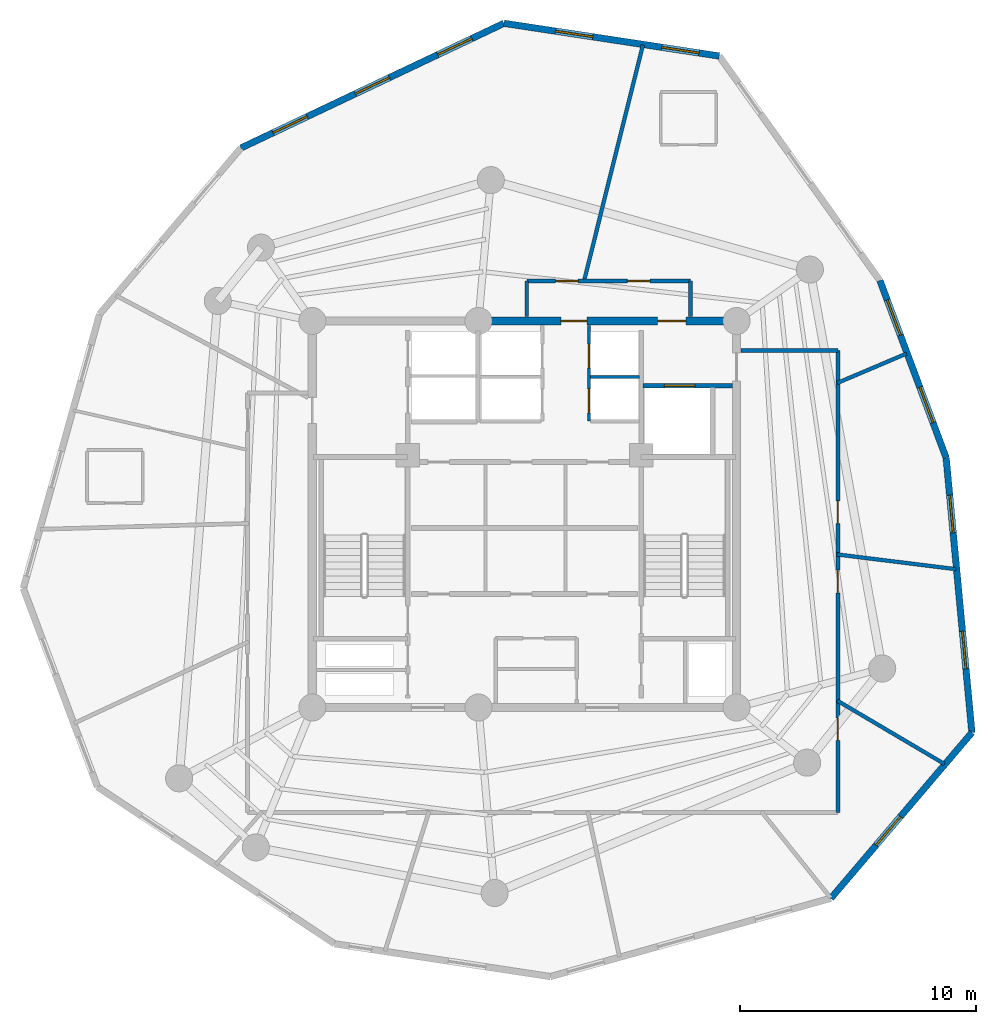
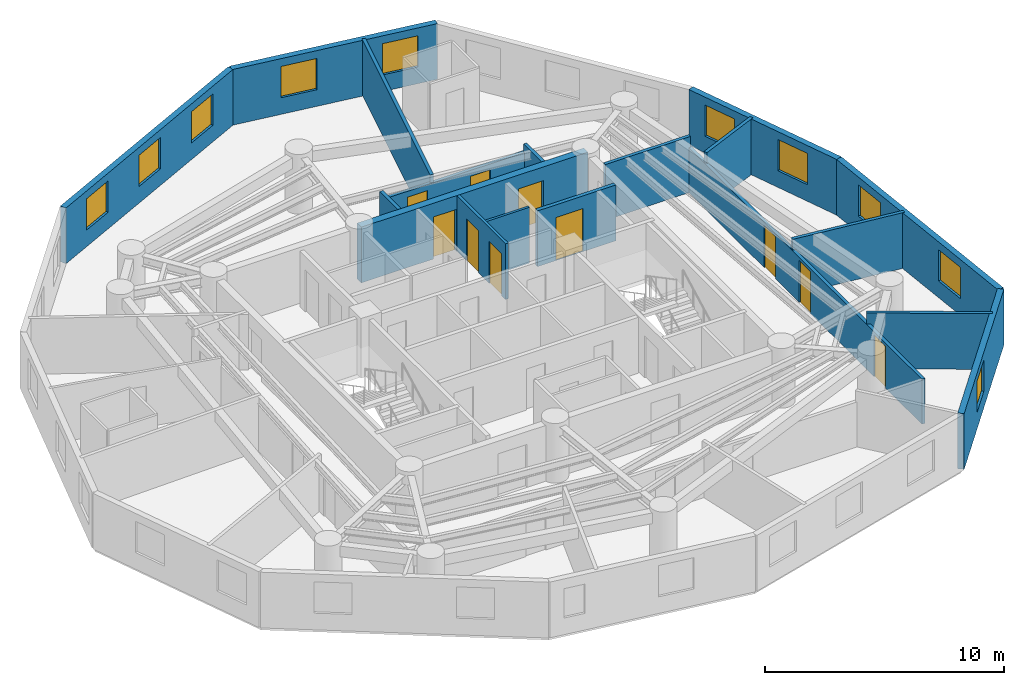
# One storey, part 5 of 7: 18 walls, 10 doors, 10 windows, 20 openings.
"""IFC4 building model written with IfcOpenShell, lengths in metres."""

from ifc_helpers import new_model, si_unit, direction, frame, frame_2d, origin, origin_with_axes, place, context, subcontext, project, spatial, rectangle, extrude, source, transform, mapped, material, layer, layer_set, type_object, element, fill, save


model = new_model("IFC4")

# Units and contexts
model_context = context("Model", 3, precision=1e-05, world=origin(), true_north=direction((0.0, 1.0)))
body_context = subcontext(model_context, "Body", "Model", "MODEL_VIEW")
ifc_project = project(units=[si_unit("LENGTHUNIT", "METRE"), si_unit("AREAUNIT", "SQUARE_METRE"), si_unit("VOLUMEUNIT", "CUBIC_METRE"), si_unit("PLANEANGLEUNIT", "RADIAN"), si_unit("MASSUNIT", "GRAM", prefix="KILO")], contexts=[model_context])

# Site, building, storey
site_placement = place(None, origin())
site = spatial("IfcSite", under=ifc_project, at=site_placement, CompositionType="ELEMENT")
building_placement = place(site_placement, origin())
building = spatial("IfcBuilding", under=site, at=building_placement, Name="Karkom Vertical University and Central Library", CompositionType="ELEMENT")
storey_placement = place(building_placement, frame((0.0, 0.0, 238.25)))
storey = spatial("IfcBuildingStorey", under=building, at=storey_placement, Name="L70", CompositionType="ELEMENT", Elevation=238.25)

# Wall, opening, window
ifc_material_1 = material(Name="Brick-faced precast concrete C45/55", Category="masonry")
ifc_layer_1 = layer(ifc_material_1, 0.280029296875)
ifc_layer_set_1 = layer_set([ifc_layer_1], Name="Brick-faced precast concrete C45/55")
wall_type_1 = type_object("IfcWallType", Name="ENV-WL-BRK-280", PredefinedType="SOLIDWALL", material=ifc_layer_set_1)
wall_1_placement = place(storey_placement, frame((41.501220703125, 10.197509765625, 0.0), z_axis=(0.0, 0.0, 1.0), x_axis=(0.648021806958, 0.761621781271, 0.0)))
wall_1 = element("IfcWall", 1, at=wall_1_placement, inside=storey, type_object=wall_type_1, Name="Level 70 Brick-Faced Precast Facade Wall 05", PredefinedType="SOLIDWALL", context=body_context, shape_type="SweptSolid", body=[
    extrude(rectangle(XDim=9.2412109375, YDim=0.280029296875, at=frame_2d((4.62060546875, 0.0))), origin(), (0.0, 0.0, 1.0), 2.85009765625),
])
opening_1_placement = place(wall_1_placement, frame((2.96240234375, 0.0, 0.85009765625)))
opening_1 = element("IfcOpeningElement", 2, at=opening_1_placement, cuts=wall_1, Name="Opening WN-10", PredefinedType="OPENING", context=body_context, shape_type="SweptSolid", body=[
    extrude(rectangle(XDim=1.60009765625, YDim=1.60009765625, at=frame_2d((0.800048828125, 0.800048828125))), frame((0.0, 0.14990234375, 0.0), z_axis=(0.0, -1.0, 0.0), x_axis=(1.0, 0.0, 0.0)), (0.0, 0.0, 1.0), 0.300048828125),
])
ifc_material_2 = material(Name="Aluminium thermal-break frame with solar-control IGU", Category="aluminium")
window_type = type_object("IfcWindowType", Name="ENV-WIN-WN-10", PartitioningType="SINGLE_PANEL", PredefinedType="WINDOW", material=ifc_material_2)
shared_shape_1 = source(origin_with_axes(), body_context, "Body", "SweptSolid", [
    extrude(rectangle(XDim=1.60009765625, YDim=1.60009765625, at=frame_2d((0.800048828125, 0.800048828125))), frame((0.0, 0.030029296875, 0.0), z_axis=(0.0, -1.0, 0.0), x_axis=(1.0, 0.0, 0.0)), (0.0, 0.0, 1.0), 0.06005859375),
])
window_1_placement = place(opening_1_placement, origin())
window_1 = element("IfcWindow", 3, at=window_1_placement, inside=storey, type_object=window_type, Name="Level 70 Punched Window 5.1", OverallHeight=1.60009765625, OverallWidth=1.60009765625, PartitioningType="SINGLE_PANEL", PredefinedType="WINDOW", context=body_context, shape_type="MappedRepresentation", body=[
    mapped(shared_shape_1, transform((0.0, 0.0, 0.0), scale=1.0)),
])
fill(opening_1, window_1)

# Wall, openings, windows
wall_2_placement = place(storey_placement, frame((47.48974609375, 17.23583984375, 0.0), z_axis=(0.0, 0.0, 1.0), x_axis=(-0.093386555956, 0.995629926814, 0.0)))
wall_2 = element("IfcWall", 4, at=wall_2_placement, inside=storey, type_object=wall_type_1, Name="Level 70 Brick-Faced Precast Facade Wall 06", PredefinedType="SOLIDWALL", context=body_context, shape_type="SweptSolid", body=[
    extrude(rectangle(XDim=11.712158203125, YDim=0.280029296875, at=frame_2d((5.85595703125, 0.0))), origin(), (0.0, 0.0, 1.0), 2.85009765625),
])
opening_2_placement = place(wall_2_placement, frame((2.717041015625, 0.0, 0.85009765625)))
opening_2 = element("IfcOpeningElement", 5, at=opening_2_placement, cuts=wall_2, Name="Opening WN-10", PredefinedType="OPENING", context=body_context, shape_type="SweptSolid", body=[
    extrude(rectangle(XDim=1.60009765625, YDim=1.60009765625, at=frame_2d((0.800048828125, 0.800048828125))), frame((0.0, 0.14990234375, 0.0), z_axis=(0.0, -1.0, 0.0), x_axis=(1.0, 0.0, 0.0)), (0.0, 0.0, 1.0), 0.300048828125),
])
opening_3_placement = place(wall_2_placement, frame((8.51318359375, 0.0, 0.85009765625)))
opening_3 = element("IfcOpeningElement", 6, at=opening_3_placement, cuts=wall_2, Name="Opening WN-10", PredefinedType="OPENING", context=body_context, shape_type="SweptSolid", body=[
    extrude(rectangle(XDim=1.60009765625, YDim=1.60009765625, at=frame_2d((0.800048828125, 0.800048828125))), frame((0.0, 0.14990234375, 0.0), z_axis=(0.0, -1.0, 0.0), x_axis=(1.0, 0.0, 0.0)), (0.0, 0.0, 1.0), 0.300048828125),
])
window_2_placement = place(opening_2_placement, origin())
window_2 = element("IfcWindow", 7, at=window_2_placement, inside=storey, type_object=window_type, Name="Level 70 Punched Window 6.1", OverallHeight=1.60009765625, OverallWidth=1.60009765625, PartitioningType="SINGLE_PANEL", PredefinedType="WINDOW", context=body_context, shape_type="MappedRepresentation", body=[
    mapped(shared_shape_1, transform((0.0, 0.0, 0.0), scale=1.0)),
])
fill(opening_2, window_2)
window_3_placement = place(opening_3_placement, origin())
window_3 = element("IfcWindow", 8, at=window_3_placement, inside=storey, type_object=window_type, Name="Level 70 Punched Window 6.2", OverallHeight=1.60009765625, OverallWidth=1.60009765625, PartitioningType="SINGLE_PANEL", PredefinedType="WINDOW", context=body_context, shape_type="MappedRepresentation", body=[
    mapped(shared_shape_1, transform((0.0, 0.0, 0.0), scale=1.0)),
])
fill(opening_3, window_3)

wall_3_placement = place(storey_placement, frame((46.39599609375, 28.896728515625, 0.0), z_axis=(0.0, 0.0, 1.0), x_axis=(-0.34987402961, 0.936796756722, 0.0)))
wall_3 = element("IfcWall", 9, at=wall_3_placement, inside=storey, type_object=wall_type_1, Name="Level 70 Brick-Faced Precast Facade Wall 07", PredefinedType="SOLIDWALL", context=body_context, shape_type="SweptSolid", body=[
    extrude(rectangle(XDim=8.0322265625, YDim=0.280029296875, at=frame_2d((4.01611328125, 0.0))), origin(), (0.0, 0.0, 1.0), 2.85009765625),
])
opening_4_placement = place(wall_3_placement, frame((1.593994140625, 0.0, 0.85009765625)))
opening_4 = element("IfcOpeningElement", 10, at=opening_4_placement, cuts=wall_3, Name="Opening WN-10", PredefinedType="OPENING", context=body_context, shape_type="SweptSolid", body=[
    extrude(rectangle(XDim=1.60009765625, YDim=1.60009765625, at=frame_2d((0.800048828125, 0.800048828125))), frame((0.0, 0.14990234375, 0.0), z_axis=(0.0, -1.0, 0.0), x_axis=(1.0, 0.0, 0.0)), (0.0, 0.0, 1.0), 0.300048828125),
])
opening_5_placement = place(wall_3_placement, frame((5.55029296875, 0.0, 0.85009765625)))
opening_5 = element("IfcOpeningElement", 11, at=opening_5_placement, cuts=wall_3, Name="Opening WN-10", PredefinedType="OPENING", context=body_context, shape_type="SweptSolid", body=[
    extrude(rectangle(XDim=1.60009765625, YDim=1.60009765625, at=frame_2d((0.800048828125, 0.800048828125))), frame((0.0, 0.14990234375, 0.0), z_axis=(0.0, -1.0, 0.0), x_axis=(1.0, 0.0, 0.0)), (0.0, 0.0, 1.0), 0.300048828125),
])
window_4_placement = place(opening_4_placement, origin())
window_4 = element("IfcWindow", 12, at=window_4_placement, inside=storey, type_object=window_type, Name="Level 70 Punched Window 7.1", OverallHeight=1.60009765625, OverallWidth=1.60009765625, PartitioningType="SINGLE_PANEL", PredefinedType="WINDOW", context=body_context, shape_type="MappedRepresentation", body=[
    mapped(shared_shape_1, transform((0.0, 0.0, 0.0), scale=1.0)),
])
fill(opening_4, window_4)
window_5_placement = place(opening_5_placement, origin())
window_5 = element("IfcWindow", 13, at=window_5_placement, inside=storey, type_object=window_type, Name="Level 70 Punched Window 7.2", OverallHeight=1.60009765625, OverallWidth=1.60009765625, PartitioningType="SINGLE_PANEL", PredefinedType="WINDOW", context=body_context, shape_type="MappedRepresentation", body=[
    mapped(shared_shape_1, transform((0.0, 0.0, 0.0), scale=1.0)),
])
fill(opening_5, window_5)

wall_4_placement = place(storey_placement, frame((36.767578125, 45.9443359375, 0.0), z_axis=(0.0, 0.0, 1.0), x_axis=(-0.988633780182, 0.150343768352, 0.0)))
wall_4 = element("IfcWall", 14, at=wall_4_placement, inside=storey, type_object=wall_type_1, Name="Level 70 Brick-Faced Precast Facade Wall 09", PredefinedType="SOLIDWALL", context=body_context, shape_type="SweptSolid", body=[
    extrude(rectangle(XDim=9.241455078125, YDim=0.280029296875, at=frame_2d((4.62060546875, 0.0))), origin(), (0.0, 0.0, 1.0), 2.85009765625),
])
opening_6_placement = place(wall_4_placement, frame((0.868896484375, 0.0, 0.85009765625)))
opening_6 = element("IfcOpeningElement", 15, at=opening_6_placement, cuts=wall_4, Name="Opening WN-10", PredefinedType="OPENING", context=body_context, shape_type="SweptSolid", body=[
    extrude(rectangle(XDim=1.60009765625, YDim=1.60009765625, at=frame_2d((0.800048828125, 0.800048828125))), frame((0.0, 0.14990234375, 0.0), z_axis=(0.0, -1.0, 0.0), x_axis=(1.0, 0.0, 0.0)), (0.0, 0.0, 1.0), 0.300048828125),
])
opening_7_placement = place(wall_4_placement, frame((5.4296875, 0.0, 0.85009765625)))
opening_7 = element("IfcOpeningElement", 16, at=opening_7_placement, cuts=wall_4, Name="Opening WN-10", PredefinedType="OPENING", context=body_context, shape_type="SweptSolid", body=[
    extrude(rectangle(XDim=1.60009765625, YDim=1.60009765625, at=frame_2d((0.800048828125, 0.800048828125))), frame((0.0, 0.14990234375, 0.0), z_axis=(0.0, -1.0, 0.0), x_axis=(1.0, 0.0, 0.0)), (0.0, 0.0, 1.0), 0.300048828125),
])
window_6_placement = place(opening_6_placement, origin())
window_6 = element("IfcWindow", 17, at=window_6_placement, inside=storey, type_object=window_type, Name="Level 70 Punched Window 9.1", OverallHeight=1.60009765625, OverallWidth=1.60009765625, PartitioningType="SINGLE_PANEL", PredefinedType="WINDOW", context=body_context, shape_type="MappedRepresentation", body=[
    mapped(shared_shape_1, transform((0.0, 0.0, 0.0), scale=1.0)),
])
fill(opening_6, window_6)
window_7_placement = place(opening_7_placement, origin())
window_7 = element("IfcWindow", 18, at=window_7_placement, inside=storey, type_object=window_type, Name="Level 70 Punched Window 9.2", OverallHeight=1.60009765625, OverallWidth=1.60009765625, PartitioningType="SINGLE_PANEL", PredefinedType="WINDOW", context=body_context, shape_type="MappedRepresentation", body=[
    mapped(shared_shape_1, transform((0.0, 0.0, 0.0), scale=1.0)),
])
fill(opening_7, window_7)

wall_5_placement = place(storey_placement, frame((27.631103515625, 47.333740234375, 0.0), z_axis=(0.0, 0.0, 1.0), x_axis=(-0.903597763664, -0.428381934145, 0.0)))
wall_5 = element("IfcWall", 19, at=wall_5_placement, inside=storey, type_object=wall_type_1, Name="Level 70 Brick-Faced Precast Facade Wall 10", PredefinedType="SOLIDWALL", context=body_context, shape_type="SweptSolid", body=[
    extrude(rectangle(XDim=12.3544921875, YDim=0.280029296875, at=frame_2d((6.17724609375, 0.0))), origin(), (0.0, 0.0, 1.0), 2.85009765625),
])
opening_8_placement = place(wall_5_placement, frame((1.512451171875, 0.0, 0.85009765625)))
opening_8 = element("IfcOpeningElement", 20, at=opening_8_placement, cuts=wall_5, Name="Opening WN-10", PredefinedType="OPENING", context=body_context, shape_type="SweptSolid", body=[
    extrude(rectangle(XDim=1.60009765625, YDim=1.60009765625, at=frame_2d((0.800048828125, 0.800048828125))), frame((0.0, 0.14990234375, 0.0), z_axis=(0.0, -1.0, 0.0), x_axis=(1.0, 0.0, 0.0)), (0.0, 0.0, 1.0), 0.300048828125),
])
opening_9_placement = place(wall_5_placement, frame((5.377197265625, 0.0, 0.85009765625)))
opening_9 = element("IfcOpeningElement", 21, at=opening_9_placement, cuts=wall_5, Name="Opening WN-10", PredefinedType="OPENING", context=body_context, shape_type="SweptSolid", body=[
    extrude(rectangle(XDim=1.60009765625, YDim=1.60009765625, at=frame_2d((0.800048828125, 0.800048828125))), frame((0.0, 0.14990234375, 0.0), z_axis=(0.0, -1.0, 0.0), x_axis=(1.0, 0.0, 0.0)), (0.0, 0.0, 1.0), 0.300048828125),
])
opening_10_placement = place(wall_5_placement, frame((9.2421875, 0.0, 0.85009765625)))
opening_10 = element("IfcOpeningElement", 22, at=opening_10_placement, cuts=wall_5, Name="Opening WN-10", PredefinedType="OPENING", context=body_context, shape_type="SweptSolid", body=[
    extrude(rectangle(XDim=1.60009765625, YDim=1.60009765625, at=frame_2d((0.800048828125, 0.800048828125))), frame((0.0, 0.14990234375, 0.0), z_axis=(0.0, -1.0, 0.0), x_axis=(1.0, 0.0, 0.0)), (0.0, 0.0, 1.0), 0.300048828125),
])
window_8_placement = place(opening_8_placement, origin())
window_8 = element("IfcWindow", 23, at=window_8_placement, inside=storey, type_object=window_type, Name="Level 70 Punched Window 10.1", OverallHeight=1.60009765625, OverallWidth=1.60009765625, PartitioningType="SINGLE_PANEL", PredefinedType="WINDOW", context=body_context, shape_type="MappedRepresentation", body=[
    mapped(shared_shape_1, transform((0.0, 0.0, 0.0), scale=1.0)),
])
fill(opening_8, window_8)
window_9_placement = place(opening_9_placement, origin())
window_9 = element("IfcWindow", 24, at=window_9_placement, inside=storey, type_object=window_type, Name="Level 70 Punched Window 10.2", OverallHeight=1.60009765625, OverallWidth=1.60009765625, PartitioningType="SINGLE_PANEL", PredefinedType="WINDOW", context=body_context, shape_type="MappedRepresentation", body=[
    mapped(shared_shape_1, transform((0.0, 0.0, 0.0), scale=1.0)),
])
fill(opening_9, window_9)
window_10_placement = place(opening_10_placement, origin())
window_10 = element("IfcWindow", 25, at=window_10_placement, inside=storey, type_object=window_type, Name="Level 70 Punched Window 10.3", OverallHeight=1.60009765625, OverallWidth=1.60009765625, PartitioningType="SINGLE_PANEL", PredefinedType="WINDOW", context=body_context, shape_type="MappedRepresentation", body=[
    mapped(shared_shape_1, transform((0.0, 0.0, 0.0), scale=1.0)),
])
fill(opening_10, window_10)

# Wall, openings, doors
ifc_material_3 = material(Name="Insulated metal-stud drywall 160mm", Category="gypsum")
ifc_layer_2 = layer(ifc_material_3, 0.159912109375)
ifc_layer_set_2 = layer_set([ifc_layer_2], Name="Insulated metal-stud drywall 160mm")
wall_type_2 = type_object("IfcWallType", Name="INT-WL-COR-160", PredefinedType="PARTITIONING", material=ifc_layer_set_2)
wall_6_placement = place(storey_placement, frame((41.800048828125, 33.449951171875, 0.0), z_axis=(0.0, 0.0, 1.0), x_axis=(0.0, -1.0, 0.0)))
wall_6 = element("IfcWall", 26, at=wall_6_placement, inside=storey, type_object=wall_type_2, Name="Level 70 Interior Partition Wall L70-CORW-CW-005", PredefinedType="PARTITIONING", context=body_context, shape_type="SweptSolid", body=[
    extrude(rectangle(XDim=19.599853515625, YDim=0.159912109375, at=frame_2d((9.7998046875, 0.0))), origin(), (0.0, 0.0, 1.0), 2.300048828125),
])
opening_11_placement = place(wall_6_placement, frame((15.5859375, 0.0, 0.0)))
opening_11 = element("IfcOpeningElement", 27, at=opening_11_placement, cuts=wall_6, Name="Opening FD-RM2", PredefinedType="OPENING", context=body_context, shape_type="SweptSolid", body=[
    extrude(rectangle(XDim=0.9599609375, YDim=2.14990234375, at=frame_2d((0.47998046875, 1.074951171875))), frame((0.0, 0.08984375, 0.0), z_axis=(0.0, -1.0, 0.0), x_axis=(1.0, 0.0, 0.0)), (0.0, 0.0, 1.0), 0.179931640625),
])
opening_12_placement = place(wall_6_placement, frame((9.324951171875, 0.0, 0.0)))
opening_12 = element("IfcOpeningElement", 28, at=opening_12_placement, cuts=wall_6, Name="Opening FD-RM2", PredefinedType="OPENING", context=body_context, shape_type="SweptSolid", body=[
    extrude(rectangle(XDim=0.9599609375, YDim=2.14990234375, at=frame_2d((0.47998046875, 1.074951171875))), frame((0.0, 0.08984375, 0.0), z_axis=(0.0, -1.0, 0.0), x_axis=(1.0, 0.0, 0.0)), (0.0, 0.0, 1.0), 0.179931640625),
])
opening_13_placement = place(wall_6_placement, frame((6.385009765625, 0.0, 0.0)))
opening_13 = element("IfcOpeningElement", 29, at=opening_13_placement, cuts=wall_6, Name="Opening FD-RM2", PredefinedType="OPENING", context=body_context, shape_type="SweptSolid", body=[
    extrude(rectangle(XDim=0.9599609375, YDim=2.14990234375, at=frame_2d((0.47998046875, 1.074951171875))), frame((0.0, 0.08984375, 0.0), z_axis=(0.0, -1.0, 0.0), x_axis=(1.0, 0.0, 0.0)), (0.0, 0.0, 1.0), 0.179931640625),
])
ifc_material_4 = material(Name="Fire-rated oak veneer door", Category="wood")
door_type_1 = type_object("IfcDoorType", Name="INT-DR-FRM2", OperationType="NOTDEFINED", PredefinedType="DOOR", material=ifc_material_4)
shared_shape_2 = source(origin_with_axes(), body_context, "Body", "SweptSolid", [
    extrude(rectangle(XDim=0.9599609375, YDim=2.14990234375, at=frame_2d((0.47998046875, 1.074951171875))), frame((0.0, 0.02490234375, 0.0), z_axis=(0.0, -1.0, 0.0), x_axis=(1.0, 0.0, 0.0)), (0.0, 0.0, 1.0), 0.050048828125),
])
door_1_placement = place(opening_11_placement, origin())
door_1 = element("IfcDoor", 30, at=door_1_placement, inside=storey, type_object=door_type_1, Name="Level 70 Room Entry Door 305", OperationType="SINGLE_SWING_RIGHT", OverallHeight=2.14990234375, OverallWidth=0.9599609375, PredefinedType="DOOR", context=body_context, shape_type="MappedRepresentation", body=[
    mapped(shared_shape_2, transform((0.0, 0.0, 0.0), scale=1.0)),
])
fill(opening_11, door_1)
door_2_placement = place(opening_12_placement, origin())
door_2 = element("IfcDoor", 31, at=door_2_placement, inside=storey, type_object=door_type_1, Name="Level 70 Room Entry Door 306", OperationType="SINGLE_SWING_LEFT", OverallHeight=2.14990234375, OverallWidth=0.9599609375, PredefinedType="DOOR", context=body_context, shape_type="MappedRepresentation", body=[
    mapped(shared_shape_2, transform((0.0, 0.0, 0.0), scale=1.0)),
])
fill(opening_12, door_2)
door_3_placement = place(opening_13_placement, origin())
door_3 = element("IfcDoor", 32, at=door_3_placement, inside=storey, type_object=door_type_1, Name="Level 70 Room Entry Door 307", OperationType="SINGLE_SWING_RIGHT", OverallHeight=2.14990234375, OverallWidth=0.9599609375, PredefinedType="DOOR", context=body_context, shape_type="MappedRepresentation", body=[
    mapped(shared_shape_2, transform((0.0, 0.0, 0.0), scale=1.0)),
])
fill(opening_13, door_3)

# Wall
wall_7_placement = place(storey_placement, frame((31.02294921875, 36.370849609375, 0.0), z_axis=(0.0, 0.0, 1.0), x_axis=(0.241913852828, 0.970297731529, 0.0)))
element("IfcWall", 33, at=wall_7_placement, inside=storey, type_object=wall_type_2, Name="Level 70 Interior Partition Wall L70-PW-012", PredefinedType="PARTITIONING", context=body_context, shape_type="SweptSolid", body=[
    extrude(rectangle(XDim=10.348388671875, YDim=0.159912109375, at=frame_2d((5.17431640625, 0.0))), origin(), (0.0, 0.0, 1.0), 2.85009765625),
])

# Wall, openings, doors
wall_8_placement = place(storey_placement, frame((28.60009765625, 36.39990234375, 0.0), z_axis=(0.0, 0.0, 1.0), x_axis=(1.0, 0.0, 0.0)))
wall_8 = element("IfcWall", 34, at=wall_8_placement, inside=storey, type_object=wall_type_2, Name="Level 70 Interior Partition Wall L70-CORW-CW-007", PredefinedType="PARTITIONING", context=body_context, shape_type="SweptSolid", body=[
    extrude(rectangle(XDim=6.949951171875, YDim=0.159912109375, at=frame_2d((3.47509765625, 0.0))), origin(), (0.0, 0.0, 1.0), 2.449951171875),
])
opening_14_placement = place(wall_8_placement, frame((4.26513671875, 0.0, 0.0)))
opening_14 = element("IfcOpeningElement", 35, at=opening_14_placement, cuts=wall_8, Name="Opening FD-RM2", PredefinedType="OPENING", context=body_context, shape_type="SweptSolid", body=[
    extrude(rectangle(XDim=0.9599609375, YDim=2.14990234375, at=frame_2d((0.47998046875, 1.074951171875))), frame((0.0, 0.08984375, 0.0), z_axis=(0.0, -1.0, 0.0), x_axis=(1.0, 0.0, 0.0)), (0.0, 0.0, 1.0), 0.179931640625),
])
opening_15_placement = place(wall_8_placement, frame((1.222412109375, 0.0, 0.0)))
opening_15 = element("IfcOpeningElement", 36, at=opening_15_placement, cuts=wall_8, Name="Opening FD-RM2", PredefinedType="OPENING", context=body_context, shape_type="SweptSolid", body=[
    extrude(rectangle(XDim=0.9599609375, YDim=2.14990234375, at=frame_2d((0.47998046875, 1.074951171875))), frame((0.0, 0.08984375, 0.0), z_axis=(0.0, -1.0, 0.0), x_axis=(1.0, 0.0, 0.0)), (0.0, 0.0, 1.0), 0.179931640625),
])
door_4_placement = place(opening_14_placement, origin())
door_4 = element("IfcDoor", 37, at=door_4_placement, inside=storey, type_object=door_type_1, Name="Level 70 Room Entry Door 416", OperationType="SINGLE_SWING_LEFT", OverallHeight=2.14990234375, OverallWidth=0.9599609375, PredefinedType="DOOR", context=body_context, shape_type="MappedRepresentation", body=[
    mapped(shared_shape_2, transform((0.0, 0.0, 0.0), scale=1.0)),
])
fill(opening_14, door_4)
door_5_placement = place(opening_15_placement, origin())
door_5 = element("IfcDoor", 38, at=door_5_placement, inside=storey, type_object=door_type_1, Name="Level 70 Room Entry Door 309", OperationType="SINGLE_SWING_LEFT", OverallHeight=2.14990234375, OverallWidth=0.9599609375, PredefinedType="DOOR", context=body_context, shape_type="MappedRepresentation", body=[
    mapped(shared_shape_2, transform((0.0, 0.0, 0.0), scale=1.0)),
])
fill(opening_15, door_5)

# Walls
wall_9_placement = place(storey_placement, frame((41.774169921875, 18.590576171875, 0.0), z_axis=(0.0, 0.0, 1.0), x_axis=(0.861040600517, -0.508536217256, 0.0)))
element("IfcWall", 39, at=wall_9_placement, inside=storey, type_object=wall_type_2, Name="Level 70 Interior Partition Wall L70-PW-009", PredefinedType="PARTITIONING", context=body_context, shape_type="SweptSolid", body=[
    extrude(rectangle(XDim=5.282470703125, YDim=0.159912109375, at=frame_2d((2.64111328125, 0.0))), origin(), (0.0, 0.0, 1.0), 2.85009765625),
])
wall_10_placement = place(storey_placement, frame((41.75537109375, 24.79638671875, 0.0), z_axis=(0.0, 0.0, 1.0), x_axis=(0.992404123025, -0.123020553578, 0.0)))
element("IfcWall", 40, at=wall_10_placement, inside=storey, type_object=wall_type_2, Name="Level 70 Interior Partition Wall L70-PW-010", PredefinedType="PARTITIONING", context=body_context, shape_type="SweptSolid", body=[
    extrude(rectangle(XDim=5.096435546875, YDim=0.159912109375, at=frame_2d((2.54833984375, 0.0))), origin(), (0.0, 0.0, 1.0), 2.85009765625),
])
wall_11_placement = place(storey_placement, frame((37.681884765625, 33.449951171875, 0.0), z_axis=(0.0, 0.0, 1.0), x_axis=(1.0, 0.0, 0.0)))
element("IfcWall", 41, at=wall_11_placement, inside=storey, type_object=wall_type_2, Name="Level 70 Interior Partition Wall L70-CORW-CW-004", PredefinedType="PARTITIONING", context=body_context, shape_type="SweptSolid", body=[
    extrude(rectangle(XDim=4.1181640625, YDim=0.159912109375, at=frame_2d((2.05908203125, 0.0))), origin(), (0.0, 0.0, 1.0), 2.85009765625),
])
wall_12_placement = place(storey_placement, frame((41.7724609375, 32.068603515625, 0.0), z_axis=(0.0, 0.0, 1.0), x_axis=(0.92048947537, 0.390767355, 0.0)))
element("IfcWall", 42, at=wall_12_placement, inside=storey, type_object=wall_type_2, Name="Level 70 Interior Partition Wall L70-PW-011", PredefinedType="PARTITIONING", context=body_context, shape_type="SweptSolid", body=[
    extrude(rectangle(XDim=3.199462890625, YDim=0.159912109375, at=frame_2d((1.599609375, 0.0))), origin(), (0.0, 0.0, 1.0), 2.85009765625),
])
for number, where, z_axis, x_axis, name in (
    (43, (28.60009765625, 34.882080078125, 0.0), (0.0, 0.0, 1.0), (0.0, 1.0, 0.0), "Level 70 Interior Partition Wall L70-CORW-CW-006"),
    (44, (35.550048828125, 36.39990234375, 0.0), (0.0, 0.0, 1.0), (0.0, -1.0, 0.0), "Level 70 Interior Partition Wall L70-CORW-CW-008"),
):
    element("IfcWall", number, at=place(storey_placement, frame(where, z_axis=z_axis, x_axis=x_axis)), inside=storey, type_object=wall_type_2, Name=name, PredefinedType="PARTITIONING", context=body_context, shape_type="SweptSolid", body=[
        extrude(rectangle(XDim=1.517822265625, YDim=0.159912109375, at=frame_2d((0.7587890625, 0.0))), origin(), (0.0, 0.0, 1.0), 2.85009765625),
    ])
ifc_material_5 = material(Name="Moisture-resistant drywall 120mm", Category="gypsum")
ifc_layer_3 = layer(ifc_material_5, 0.1201171875)
ifc_layer_set_3 = layer_set([ifc_layer_3], Name="Moisture-resistant drywall 120mm")
wall_type_3 = type_object("IfcWallType", Name="INT-WL-INT-120H", PredefinedType="PARTITIONING", material=ifc_layer_set_3)
wall_13_placement = place(storey_placement, frame((31.300048828125, 32.320068359375, 0.0), z_axis=(0.0, 0.0, 1.0), x_axis=(1.0, 0.0, 0.0)))
element("IfcWall", 45, at=wall_13_placement, inside=storey, type_object=wall_type_3, Name="Level 70 Interior Partition Wall L70-CW-PH-ME", PredefinedType="PARTITIONING", context=body_context, shape_type="SweptSolid", body=[
    extrude(rectangle(XDim=2.074951171875, YDim=0.1201171875, at=frame_2d((1.03759765625, 0.0))), origin(), (0.0, 0.0, 1.0), 2.85009765625),
])

# Wall, openings, doors
ifc_material_6 = material(Name="Metal-stud gypsum partition 140mm", Category="gypsum")
ifc_layer_4 = layer(ifc_material_6, 0.139892578125)
ifc_layer_set_4 = layer_set([ifc_layer_4], Name="Metal-stud gypsum partition 140mm")
wall_type_4 = type_object("IfcWallType", Name="INT-WL-SUB-140H", PredefinedType="PARTITIONING", material=ifc_layer_set_4)
wall_14_placement = place(storey_placement, frame((31.239990234375, 30.449951171875, 0.0), z_axis=(0.0, 0.0, 1.0), x_axis=(0.0, 1.0, 0.0)))
wall_14 = element("IfcWall", 46, at=wall_14_placement, inside=storey, type_object=wall_type_4, Name="Level 70 Interior Partition Wall L70-CW-PH-E", PredefinedType="PARTITIONING", context=body_context, shape_type="SweptSolid", body=[
    extrude(rectangle(XDim=4.068115234375, YDim=0.139892578125, at=frame_2d((2.0341796875, 0.0))), origin(), (0.0, 0.0, 1.0), 2.85009765625),
])
opening_16_placement = place(wall_14_placement, frame((0.35009765625, 0.0, 0.0)))
opening_16 = element("IfcOpeningElement", 47, at=opening_16_placement, cuts=wall_14, Name="Opening LD-PH", PredefinedType="OPENING", context=body_context, shape_type="SweptSolid", body=[
    extrude(rectangle(XDim=1.02001953125, YDim=2.14990234375, at=frame_2d((0.510009765625, 1.074951171875))), frame((0.0, 0.080078125, 0.0), z_axis=(0.0, -1.0, 0.0), x_axis=(1.0, 0.0, 0.0)), (0.0, 0.0, 1.0), 0.159912109375),
])
opening_17_placement = place(wall_14_placement, frame((2.25, 0.0, 0.0)))
opening_17 = element("IfcOpeningElement", 48, at=opening_17_placement, cuts=wall_14, Name="Opening LD-PH", PredefinedType="OPENING", context=body_context, shape_type="SweptSolid", body=[
    extrude(rectangle(XDim=1.02001953125, YDim=2.14990234375, at=frame_2d((0.510009765625, 1.074951171875))), frame((0.0, 0.080078125, 0.0), z_axis=(0.0, -1.0, 0.0), x_axis=(1.0, 0.0, 0.0)), (0.0, 0.0, 1.0), 0.159912109375),
])
ifc_material_7 = material(Name="Brushed stainless-steel landing door", Category="steel")
door_type_2 = type_object("IfcDoorType", Name="INT-DR-LD-PH", OperationType="SLIDING_TO_LEFT", PredefinedType="DOOR", material=ifc_material_7)
shared_shape_3 = source(origin_with_axes(), body_context, "Body", "SweptSolid", [
    extrude(rectangle(XDim=1.02001953125, YDim=2.14990234375, at=frame_2d((0.510009765625, 1.074951171875))), frame((0.0, 0.02490234375, 0.0), z_axis=(0.0, -1.0, 0.0), x_axis=(1.0, 0.0, 0.0)), (0.0, 0.0, 1.0), 0.050048828125),
])
door_6_placement = place(opening_16_placement, origin())
door_6 = element("IfcDoor", 49, at=door_6_placement, inside=storey, type_object=door_type_2, Name="Level 70 Lift PH-3 Landing Door", OperationType="SLIDING_TO_LEFT", OverallHeight=2.14990234375, OverallWidth=1.02001953125, PredefinedType="DOOR", context=body_context, shape_type="MappedRepresentation", body=[
    mapped(shared_shape_3, transform((0.0, 0.0, 0.0), scale=1.0)),
])
fill(opening_16, door_6)
door_7_placement = place(opening_17_placement, origin())
door_7 = element("IfcDoor", 50, at=door_7_placement, inside=storey, type_object=door_type_2, Name="Level 70 Lift PH-4 Landing Door", OperationType="SLIDING_TO_LEFT", OverallHeight=2.14990234375, OverallWidth=1.02001953125, PredefinedType="DOOR", context=body_context, shape_type="MappedRepresentation", body=[
    mapped(shared_shape_3, transform((0.0, 0.0, 0.0), scale=1.0)),
])
fill(opening_17, door_7)

# Wall, opening, door
ifc_material_8 = material(Name="Twin-stud acoustic drywall 180mm", Category="gypsum")
ifc_layer_5 = layer(ifc_material_8, 0.179931640625)
ifc_layer_set_5 = layer_set([ifc_layer_5], Name="Twin-stud acoustic drywall 180mm")
wall_type_5 = type_object("IfcWallType", Name="INT-WL-TEN-180F", PredefinedType="PARTITIONING", material=ifc_layer_set_5)
wall_15_placement = place(storey_placement, frame((33.534912109375, 31.949951171875, 0.0), z_axis=(0.0, 0.0, 1.0), x_axis=(1.0, 0.0, 0.0)))
wall_15 = element("IfcWall", 51, at=wall_15_placement, inside=storey, type_object=wall_type_5, Name="Level 70 Interior Partition Wall L70-CW-SVL-N", PredefinedType="PARTITIONING", context=body_context, shape_type="SweptSolid", body=[
    extrude(rectangle(XDim=3.783935546875, YDim=0.179931640625, at=frame_2d((1.89208984375, 0.0))), origin(), (0.0, 0.0, 1.0), 2.85009765625),
])
opening_18_placement = place(wall_15_placement, frame((0.89990234375, 0.0, 0.0)))
opening_18 = element("IfcOpeningElement", 52, at=opening_18_placement, cuts=wall_15, Name="Opening LD-SV1", PredefinedType="OPENING", context=body_context, shape_type="SweptSolid", body=[
    extrude(rectangle(XDim=1.300048828125, YDim=2.199951171875, at=frame_2d((0.64990234375, 1.10009765625))), frame((0.0, 0.10009765625, 0.0), z_axis=(0.0, -1.0, 0.0), x_axis=(1.0, 0.0, 0.0)), (0.0, 0.0, 1.0), 0.199951171875),
])
door_type_3 = type_object("IfcDoorType", Name="INT-DR-LD-SV1", OperationType="SLIDING_TO_LEFT", PredefinedType="DOOR", material=ifc_material_7)
shared_shape_4 = source(origin_with_axes(), body_context, "Body", "SweptSolid", [
    extrude(rectangle(XDim=1.300048828125, YDim=2.199951171875, at=frame_2d((0.64990234375, 1.10009765625))), frame((0.0, 0.02490234375, 0.0), z_axis=(0.0, -1.0, 0.0), x_axis=(1.0, 0.0, 0.0)), (0.0, 0.0, 1.0), 0.050048828125),
])
door_8_placement = place(opening_18_placement, origin())
door_8 = element("IfcDoor", 53, at=door_8_placement, inside=storey, type_object=door_type_3, Name="Level 70 Service Lift Landing Door LD-SV1", OperationType="SLIDING_TO_LEFT", OverallHeight=2.199951171875, OverallWidth=1.300048828125, PredefinedType="DOOR", context=body_context, shape_type="MappedRepresentation", body=[
    mapped(shared_shape_4, transform((0.0, 0.0, 0.0), scale=1.0)),
])
fill(opening_18, door_8)

# Wall, openings, doors
ifc_material_9 = material(Name="Concrete C45/55", Category="concrete")
ifc_layer_6 = layer(ifc_material_9, 0.35009765625)
ifc_layer_set_6 = layer_set([ifc_layer_6], Name="Concrete C45/55")
wall_type_6 = type_object("IfcWallType", Name="STR-WL-CW-350", PredefinedType="SHEAR", material=ifc_layer_set_6)
wall_16_placement = place(storey_placement, frame((37.5, 34.699951171875, 0.0), z_axis=(0.0, 0.0, 1.0), x_axis=(-1.0, 0.0, 0.0)))
wall_16 = element("IfcWall", 54, at=wall_16_placement, inside=storey, type_object=wall_type_6, Name="Level 70 Central Core Shear Wall NW1", PredefinedType="SHEAR", context=body_context, shape_type="SweptSolid", body=[
    extrude(rectangle(XDim=10.949951171875, YDim=0.35009765625, at=frame_2d((5.47509765625, 0.0))), origin(), (0.0, 0.0, 1.0), 2.85009765625),
])
opening_19_placement = place(wall_16_placement, frame((2.14990234375, 0.0, 0.0)))
opening_19 = element("IfcOpeningElement", 55, at=opening_19_placement, cuts=wall_16, Name="Opening FD-SUB1", PredefinedType="OPENING", context=body_context, shape_type="SweptSolid", body=[
    extrude(rectangle(XDim=1.199951171875, YDim=2.14990234375, at=frame_2d((0.60009765625, 1.074951171875))), frame((0.0, 0.18505859375, 0.0), z_axis=(0.0, -1.0, 0.0), x_axis=(1.0, 0.0, 0.0)), (0.0, 0.0, 1.0), 0.3701171875),
])
opening_20_placement = place(wall_16_placement, frame((6.35009765625, 0.0, 0.0)))
opening_20 = element("IfcOpeningElement", 56, at=opening_20_placement, cuts=wall_16, Name="Opening FD-FFL", PredefinedType="OPENING", context=body_context, shape_type="SweptSolid", body=[
    extrude(rectangle(XDim=1.10009765625, YDim=2.14990234375, at=frame_2d((0.550048828125, 1.074951171875))), frame((0.0, 0.18505859375, 0.0), z_axis=(0.0, -1.0, 0.0), x_axis=(1.0, 0.0, 0.0)), (0.0, 0.0, 1.0), 0.3701171875),
])
ifc_material_10 = material(Name="Painted steel smoke-seal fire door", Category="steel")
door_type_4 = type_object("IfcDoorType", Name="INT-DR-FFL", OperationType="NOTDEFINED", PredefinedType="DOOR", material=ifc_material_10)
shared_shape_5 = source(origin_with_axes(), body_context, "Body", "SweptSolid", [
    extrude(rectangle(XDim=1.10009765625, YDim=2.14990234375, at=frame_2d((0.550048828125, 1.074951171875))), frame((0.0, 0.02490234375, 0.0), z_axis=(0.0, -1.0, 0.0), x_axis=(1.0, 0.0, 0.0)), (0.0, 0.0, 1.0), 0.050048828125),
])
door_9_placement = place(opening_20_placement, origin())
door_9 = element("IfcDoor", 57, at=door_9_placement, inside=storey, type_object=door_type_4, Name="Level 70 North Core Lobby Exit Door", OperationType="SINGLE_SWING_LEFT", OverallHeight=2.14990234375, OverallWidth=1.10009765625, PredefinedType="DOOR", context=body_context, shape_type="MappedRepresentation", body=[
    mapped(shared_shape_5, transform((0.0, 0.0, 0.0), scale=1.0)),
])
fill(opening_20, door_9)
ifc_material_11 = material(Name="Painted steel fire door", Category="steel")
door_type_5 = type_object("IfcDoorType", Name="INT-DR-SUB1", OperationType="NOTDEFINED", PredefinedType="DOOR", material=ifc_material_11)
shared_shape_6 = source(origin_with_axes(), body_context, "Body", "SweptSolid", [
    extrude(rectangle(XDim=1.199951171875, YDim=2.14990234375, at=frame_2d((0.60009765625, 1.074951171875))), frame((0.0, 0.02490234375, 0.0), z_axis=(0.0, -1.0, 0.0), x_axis=(1.0, 0.0, 0.0)), (0.0, 0.0, 1.0), 0.050048828125),
])
door_10_placement = place(opening_19_placement, origin())
door_10 = element("IfcDoor", 58, at=door_10_placement, inside=storey, type_object=door_type_5, Name="Level 70 Service Lobby Fire Door", OperationType="SINGLE_SWING_LEFT", OverallHeight=2.14990234375, OverallWidth=1.199951171875, PredefinedType="DOOR", context=body_context, shape_type="MappedRepresentation", body=[
    mapped(shared_shape_6, transform((0.0, 0.0, 0.0), scale=1.0)),
])
fill(opening_19, door_10)

save(model, "model.ifc")
